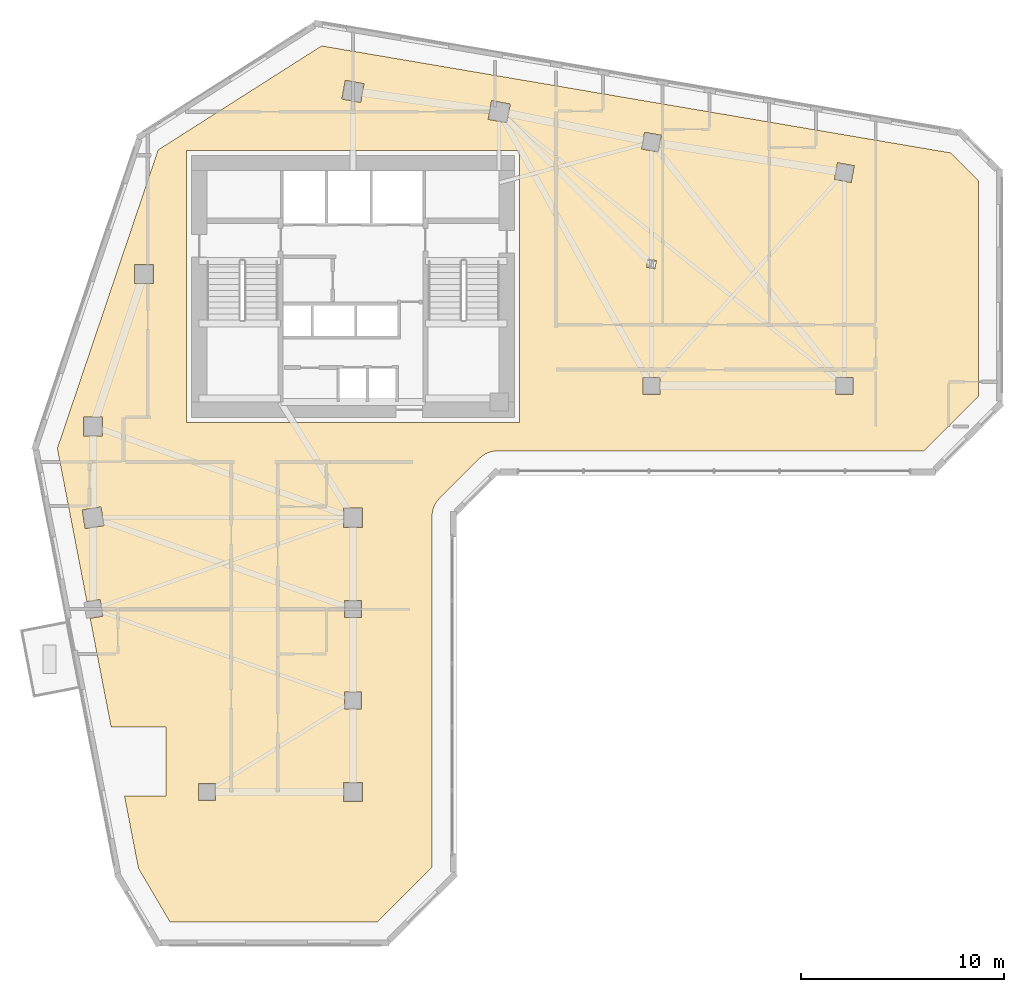
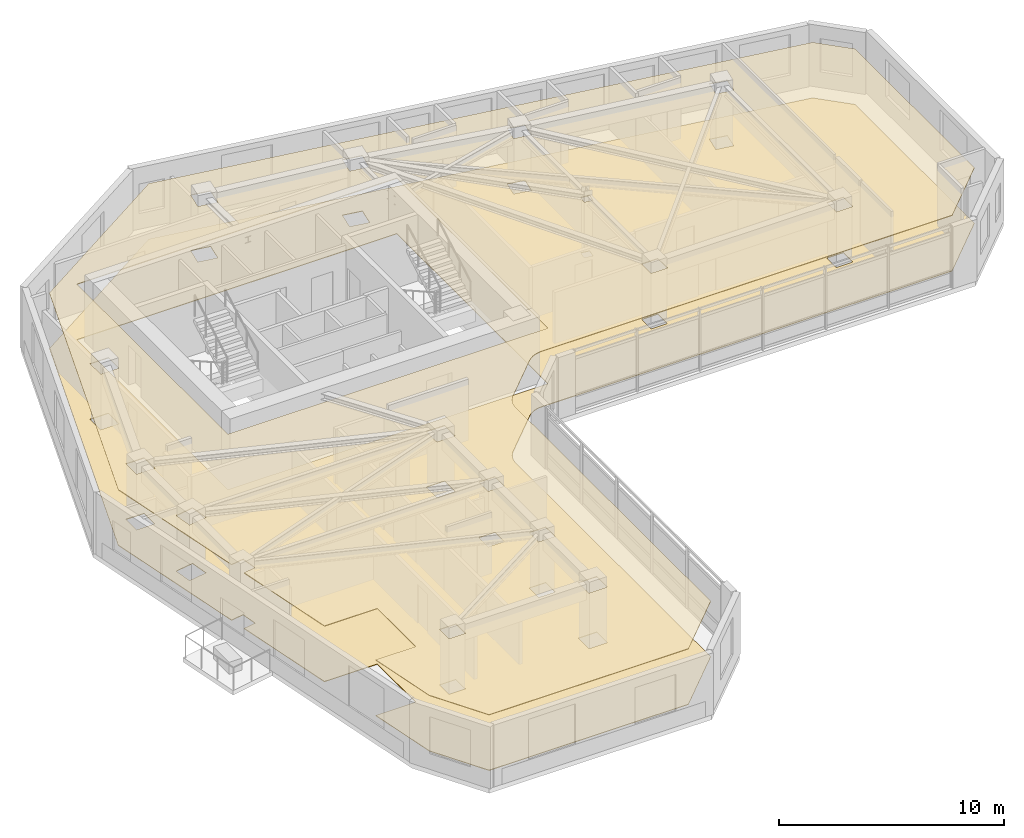
# One storey, part 10 of 11: 2 coverings.
"""IFC4 building model written with IfcOpenShell, lengths in metres."""

from ifc_helpers import new_model, si_unit, direction, frame, origin, place, context, subcontext, project, spatial, polyline, outline, extrude, material, layer, layer_set, type_object, element, save


model = new_model("IFC4")

# Units and contexts
model_context = context("Model", 3, precision=1e-05, world=origin(), true_north=direction((0.0, 1.0)))
body_context = subcontext(model_context, "Body", "Model", "MODEL_VIEW")
ifc_project = project(units=[si_unit("LENGTHUNIT", "METRE"), si_unit("AREAUNIT", "SQUARE_METRE"), si_unit("VOLUMEUNIT", "CUBIC_METRE"), si_unit("PLANEANGLEUNIT", "RADIAN"), si_unit("MASSUNIT", "GRAM", prefix="KILO")], contexts=[model_context])

# Site, building, storey
site_placement = place(None, origin())
site = spatial("IfcSite", under=ifc_project, at=site_placement, CompositionType="ELEMENT")
building_placement = place(site_placement, origin())
building = spatial("IfcBuilding", under=site, at=building_placement, Name="Calvemar Wedge Station Tower", CompositionType="ELEMENT")
storey_placement = place(building_placement, frame((0.0, 0.0, 117.800048828125)))
storey = spatial("IfcBuildingStorey", under=building, at=storey_placement, Name="L28", CompositionType="ELEMENT", Elevation=117.800048828125)

# Coverings
ifc_material_1 = material(Name="Moisture-resistant gypsum ceiling")
ifc_layer_1 = layer(ifc_material_1, 0.0400390625)
ifc_layer_set_1 = layer_set([ifc_layer_1], Name="Moisture-resistant gypsum ceiling")
covering_type_1 = type_object("IfcCoveringType", Name="COV-CEIL-GYPSUM", PredefinedType="CEILING", material=ifc_layer_set_1)
covering_1_placement = place(storey_placement, frame((0.0, 0.0, 3.0)))
element("IfcCovering", 1, at=covering_1_placement, inside=storey, type_object=covering_type_1, Name="Storey L28 Acoustic Suspended Ceiling", PredefinedType="CEILING", context=body_context, shape_type="SweptSolid", body=[
    extrude(outline(polyline([(28.047607421875, 29.4404296875), (30.047607421875, 31.4404296875), (30.134765625, 31.51953125), (30.229248046875, 31.58984375), (30.330322265625, 31.650390625), (30.436767578125, 31.70068359375), (30.547607421875, 31.740234375), (30.661865234375, 31.768798828125), (30.7783203125, 31.7861328125), (30.89599609375, 31.7919921875), (51.90283203125, 31.7919921875), (54.60009765625, 34.489013671875), (54.60009765625, 45.094970703125), (53.221923828125, 46.47314453125), (22.25439453125, 51.739501953125), (14.201416015625, 46.614990234375), (9.23828125, 31.91650390625), (10.695068359375, 24.37646484375), (11.348388671875, 24.481201171875), (11.481201171875, 23.651611328125), (10.8544921875, 23.55126953125), (11.888427734375, 18.199951171875), (14.60009765625, 18.199951171875), (14.60009765625, 14.800048828125), (12.54541015625, 14.800048828125), (13.235107421875, 11.23046875), (14.7822265625, 8.60009765625), (24.998779296875, 8.60009765625), (27.696044921875, 11.297119140625), (27.696044921875, 28.592041015625), (27.701904296875, 28.709716796875), (27.718994140625, 28.826171875), (27.747802734375, 28.940185546875), (27.787353515625, 29.05126953125), (27.837646484375, 29.15771484375), (27.898193359375, 29.2587890625), (27.968505859375, 29.353271484375), (28.047607421875, 29.4404296875)]), holes=[polyline([(15.60009765625, 46.60009765625), (32.0, 46.60009765625), (32.0, 33.199951171875), (15.60009765625, 33.199951171875), (15.60009765625, 46.60009765625)]), polyline([(10.530029296875, 32.530029296875), (10.530029296875, 33.469970703125), (11.469970703125, 33.469970703125), (11.469970703125, 32.530029296875), (10.530029296875, 32.530029296875)]), polyline([(13.030029296875, 40.969970703125), (13.969970703125, 40.969970703125), (13.969970703125, 40.030029296875), (13.030029296875, 40.030029296875), (13.030029296875, 40.969970703125)]), polyline([(24.345703125, 49.87939453125), (24.17919921875, 48.9541015625), (23.254150390625, 49.12060546875), (23.420654296875, 50.0458984375), (24.345703125, 49.87939453125)]), polyline([(31.37939453125, 47.9541015625), (30.4541015625, 48.12060546875), (30.62060546875, 49.0458984375), (31.5458984375, 48.87939453125), (31.37939453125, 47.9541015625)]), polyline([(38.01220703125, 46.660888671875), (38.160888671875, 47.48779296875), (38.98779296875, 47.339111328125), (38.839111328125, 46.51220703125), (38.01220703125, 46.660888671875)]), polyline([(47.660888671875, 45.98779296875), (48.48779296875, 45.839111328125), (48.339111328125, 45.01220703125), (47.51220703125, 45.160888671875), (47.660888671875, 45.98779296875)]), polyline([(38.919921875, 35.419921875), (38.919921875, 34.580078125), (38.080078125, 34.580078125), (38.080078125, 35.419921875), (38.919921875, 35.419921875)]), polyline([(48.419921875, 34.580078125), (47.580078125, 34.580078125), (47.580078125, 35.419921875), (48.419921875, 35.419921875), (48.419921875, 34.580078125)]), polyline([(38.259765625, 40.833984375), (38.332763671875, 41.239501953125), (38.740234375, 41.166015625), (38.667236328125, 40.760498046875), (38.259765625, 40.833984375)]), polyline([(11.389892578125, 29.038330078125), (11.538330078125, 28.110107421875), (10.610107421875, 27.961669921875), (10.461669921875, 28.889892578125), (11.389892578125, 29.038330078125)]), polyline([(24.27001953125, 28.030029296875), (23.330078125, 28.030029296875), (23.330078125, 28.969970703125), (24.27001953125, 28.969970703125), (24.27001953125, 28.030029296875)]), polyline([(23.3798828125, 23.580078125), (23.3798828125, 24.419921875), (24.219970703125, 24.419921875), (24.219970703125, 23.580078125), (23.3798828125, 23.580078125)]), polyline([(23.3798828125, 19.919921875), (24.219970703125, 19.919921875), (24.219970703125, 19.080078125), (23.3798828125, 19.080078125), (23.3798828125, 19.919921875)]), polyline([(24.27001953125, 15.469970703125), (24.27001953125, 14.530029296875), (23.330078125, 14.530029296875), (23.330078125, 15.469970703125), (24.27001953125, 15.469970703125)]), polyline([(17.02001953125, 14.580078125), (16.179931640625, 14.580078125), (16.179931640625, 15.419921875), (17.02001953125, 15.419921875), (17.02001953125, 14.580078125)])]), origin(), (0.0, 0.0, 1.0), 0.0400390625),
])
ifc_material_2 = material(Name="Honed coastal granite stone tile", Category="masonry")
ifc_layer_2 = layer(ifc_material_2, 0.030029296875)
ifc_layer_set_2 = layer_set([ifc_layer_2], Name="Honed coastal granite stone tile")
covering_type_2 = type_object("IfcCoveringType", Name="COV-FLR-STONE", PredefinedType="FLOORING", material=ifc_layer_set_2)
covering_2_placement = place(storey_placement, origin())
element("IfcCovering", 2, at=covering_2_placement, inside=storey, type_object=covering_type_2, Name="Storey L28 Architectural Floor Finish", PredefinedType="FLOORING", context=body_context, shape_type="SweptSolid", body=[
    extrude(outline(polyline([(28.047607421875, 29.4404296875), (30.047607421875, 31.4404296875), (30.134765625, 31.51953125), (30.229248046875, 31.58984375), (30.330322265625, 31.650390625), (30.436767578125, 31.70068359375), (30.547607421875, 31.740234375), (30.661865234375, 31.768798828125), (30.7783203125, 31.7861328125), (30.89599609375, 31.7919921875), (51.90283203125, 31.7919921875), (54.60009765625, 34.489013671875), (54.60009765625, 45.094970703125), (53.221923828125, 46.47314453125), (22.25439453125, 51.739501953125), (14.201416015625, 46.614990234375), (9.23828125, 31.91650390625), (10.695068359375, 24.37646484375), (11.348388671875, 24.481201171875), (11.481201171875, 23.651611328125), (10.8544921875, 23.55126953125), (11.888427734375, 18.199951171875), (14.60009765625, 18.199951171875), (14.60009765625, 14.800048828125), (12.54541015625, 14.800048828125), (13.235107421875, 11.23046875), (14.7822265625, 8.60009765625), (24.998779296875, 8.60009765625), (27.696044921875, 11.297119140625), (27.696044921875, 28.592041015625), (27.701904296875, 28.709716796875), (27.718994140625, 28.826171875), (27.747802734375, 28.940185546875), (27.787353515625, 29.05126953125), (27.837646484375, 29.15771484375), (27.898193359375, 29.2587890625), (27.968505859375, 29.353271484375), (28.047607421875, 29.4404296875)]), holes=[polyline([(15.60009765625, 46.60009765625), (32.0, 46.60009765625), (32.0, 33.199951171875), (15.60009765625, 33.199951171875), (15.60009765625, 46.60009765625)]), polyline([(10.530029296875, 32.530029296875), (10.530029296875, 33.469970703125), (11.469970703125, 33.469970703125), (11.469970703125, 32.530029296875), (10.530029296875, 32.530029296875)]), polyline([(13.030029296875, 40.969970703125), (13.969970703125, 40.969970703125), (13.969970703125, 40.030029296875), (13.030029296875, 40.030029296875), (13.030029296875, 40.969970703125)]), polyline([(24.345703125, 49.87939453125), (24.17919921875, 48.9541015625), (23.254150390625, 49.12060546875), (23.420654296875, 50.0458984375), (24.345703125, 49.87939453125)]), polyline([(31.37939453125, 47.9541015625), (30.4541015625, 48.12060546875), (30.62060546875, 49.0458984375), (31.5458984375, 48.87939453125), (31.37939453125, 47.9541015625)]), polyline([(38.01220703125, 46.660888671875), (38.160888671875, 47.48779296875), (38.98779296875, 47.339111328125), (38.839111328125, 46.51220703125), (38.01220703125, 46.660888671875)]), polyline([(47.660888671875, 45.98779296875), (48.48779296875, 45.839111328125), (48.339111328125, 45.01220703125), (47.51220703125, 45.160888671875), (47.660888671875, 45.98779296875)]), polyline([(38.919921875, 35.419921875), (38.919921875, 34.580078125), (38.080078125, 34.580078125), (38.080078125, 35.419921875), (38.919921875, 35.419921875)]), polyline([(48.419921875, 34.580078125), (47.580078125, 34.580078125), (47.580078125, 35.419921875), (48.419921875, 35.419921875), (48.419921875, 34.580078125)]), polyline([(38.259765625, 40.833984375), (38.332763671875, 41.239501953125), (38.740234375, 41.166015625), (38.667236328125, 40.760498046875), (38.259765625, 40.833984375)]), polyline([(11.389892578125, 29.038330078125), (11.538330078125, 28.110107421875), (10.610107421875, 27.961669921875), (10.461669921875, 28.889892578125), (11.389892578125, 29.038330078125)]), polyline([(24.27001953125, 28.030029296875), (23.330078125, 28.030029296875), (23.330078125, 28.969970703125), (24.27001953125, 28.969970703125), (24.27001953125, 28.030029296875)]), polyline([(23.3798828125, 23.580078125), (23.3798828125, 24.419921875), (24.219970703125, 24.419921875), (24.219970703125, 23.580078125), (23.3798828125, 23.580078125)]), polyline([(23.3798828125, 19.919921875), (24.219970703125, 19.919921875), (24.219970703125, 19.080078125), (23.3798828125, 19.080078125), (23.3798828125, 19.919921875)]), polyline([(24.27001953125, 15.469970703125), (24.27001953125, 14.530029296875), (23.330078125, 14.530029296875), (23.330078125, 15.469970703125), (24.27001953125, 15.469970703125)]), polyline([(17.02001953125, 14.580078125), (16.179931640625, 14.580078125), (16.179931640625, 15.419921875), (17.02001953125, 15.419921875), (17.02001953125, 14.580078125)])]), origin(), (0.0, 0.0, 1.0), 0.030029296875),
])

save(model, "model.ifc")
